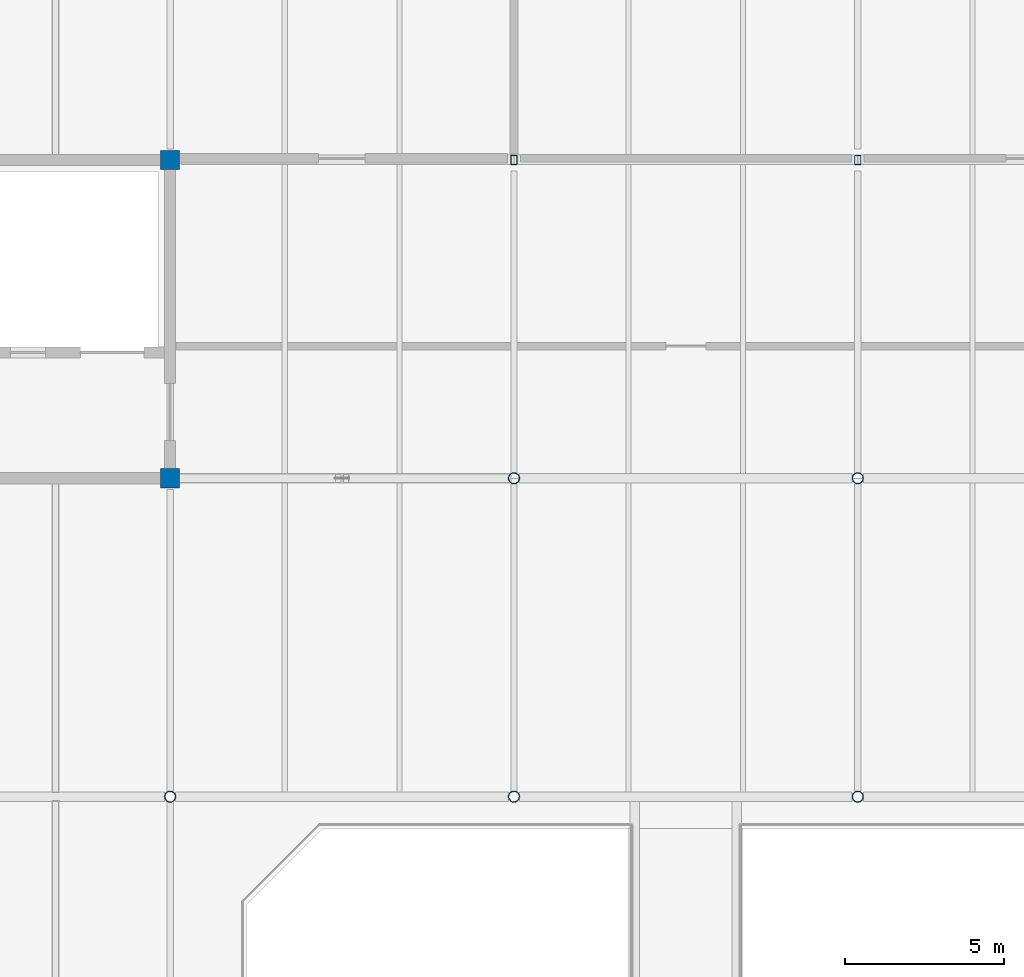
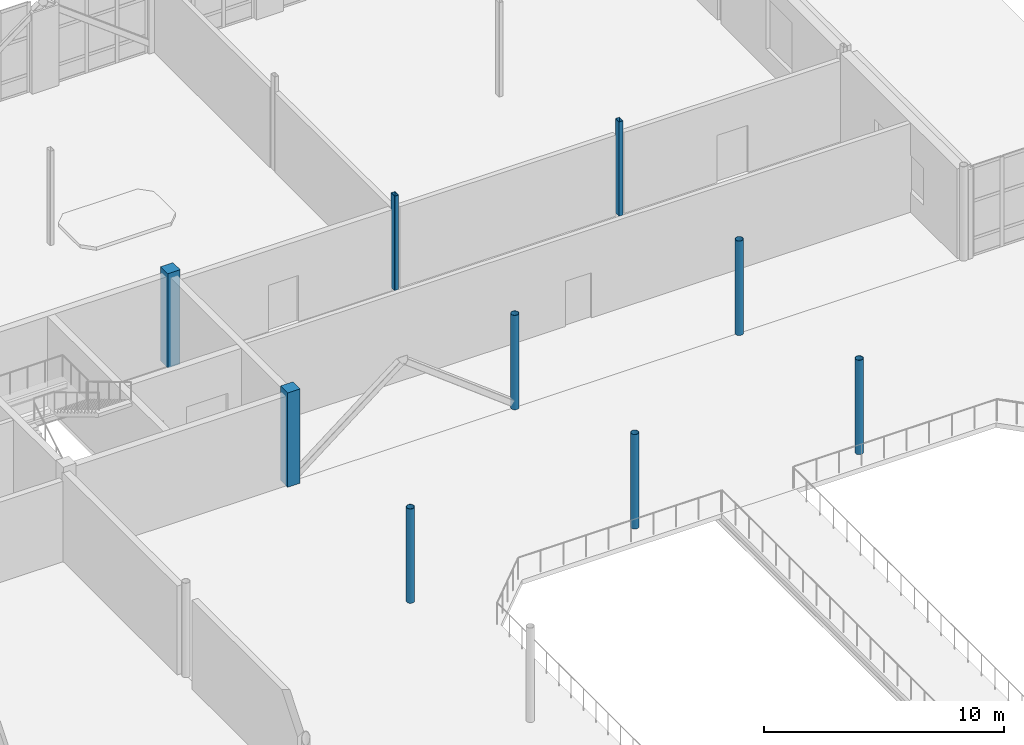
# One storey, part 10 of 100: 9 columns.
"""IFC4 building model written with IfcOpenShell, lengths in metres."""

import ifcopenshell
import ifcopenshell.guid

model = None  # the IFC model being written
_history = None  # IfcOwnerHistory: only IFC2X3 demands one
_inside = {}  # id of a spatial element -> (the spatial element, [elements in it])
_under = {}  # id of a project, library or spatial element -> (it, [spatial elements below it])
_declared = {}  # id of a project -> (the project, [libraries it declares])
_typed = {}  # id of a type object -> (the type object, [elements of that type])
_made_of = {}  # id of a material, layer set ... -> (it, [elements and type objects made of it])


def new_model(schema):
    """Start an empty IFC model of exactly this schema.

    Asked for "IFC4X3", IfcOpenShell would pick the latest addendum, in which some entities
    have other attributes; the version numbers below select the first issue.
    IFC2X3 requires an IfcOwnerHistory on every rooted entity: one is made here for all.
    """
    global model, _history
    if schema == "IFC4X3":
        model = ifcopenshell.file(schema_version=(4, 3, 0, 0))
    else:
        model = ifcopenshell.file(schema=schema)
    _inside.clear()
    _under.clear()
    _declared.clear()
    _typed.clear()
    _made_of.clear()
    _history = None
    if model.schema == "IFC2X3":
        org = make("IfcOrganization", Name="unknown")
        user = make(
            "IfcPersonAndOrganization",
            ThePerson=make("IfcPerson", FamilyName="unknown"),
            TheOrganization=org,
        )
        app = make(
            "IfcApplication",
            ApplicationDeveloper=org,
            Version="unknown",
            ApplicationFullName="unknown",
            ApplicationIdentifier="unknown",
        )
        _history = make(
            "IfcOwnerHistory",
            OwningUser=user,
            OwningApplication=app,
            ChangeAction="ADDED",
            CreationDate=0,
        )
    return model


def make(cls, **values):
    """One entity of the class cls with the attributes given. An attribute that is None is left unset."""
    return model.create_entity(
        cls, **{name: value for name, value in values.items() if value is not None}
    )


def rooted(cls, **values):
    """An entity with a GlobalId (a new one), such as an element, a storey or a relation."""
    return make(cls, GlobalId=ifcopenshell.guid.new(), OwnerHistory=_history, **values)


def si_unit(unit_type, name, prefix=None):
    """IfcSIUnit, for example si_unit("LENGTHUNIT", "METRE", prefix="MILLI")."""
    return make("IfcSIUnit", UnitType=unit_type, Prefix=prefix, Name=name)


def assignment(units):
    """IfcUnitAssignment: the units of a project."""
    return None if units is None else make("IfcUnitAssignment", Units=units)


def point(xyz):
    """IfcCartesianPoint."""
    return None if xyz is None else make("IfcCartesianPoint", Coordinates=xyz)


def direction(xyz):
    """IfcDirection."""
    return None if xyz is None else make("IfcDirection", DirectionRatios=xyz)


def frame(location, z_axis=None, x_axis=None):
    """IfcAxis2Placement3D, a coordinate frame: its origin and axes. An axis left out is left unset."""
    return make(
        "IfcAxis2Placement3D",
        Location=point(location),
        Axis=direction(z_axis),
        RefDirection=direction(x_axis),
    )


def frame_2d(location, x_axis=None):
    """IfcAxis2Placement2D, a coordinate frame in the plane: its origin and x axis."""
    return make(
        "IfcAxis2Placement2D", Location=point(location), RefDirection=direction(x_axis)
    )


def origin():
    """The frame at (0, 0, 0) with its axes left unset."""
    return frame((0.0, 0.0, 0.0))


def origin_2d():
    """The frame at (0, 0) in the plane with its x axis left unset."""
    return frame_2d((0.0, 0.0))


def place(relative_to, where):
    """IfcLocalPlacement: puts the frame where relative to a parent placement (None: the world)."""
    return make(
        "IfcLocalPlacement", PlacementRelTo=relative_to, RelativePlacement=where
    )


def context(
    kind, dimensions, precision=None, world=None, true_north=None, identifier=None
):
    """IfcGeometricRepresentationContext, for example the 3D "Model" context."""
    return make(
        "IfcGeometricRepresentationContext",
        ContextIdentifier=identifier,
        ContextType=kind,
        CoordinateSpaceDimension=dimensions,
        Precision=precision,
        WorldCoordinateSystem=world,
        TrueNorth=true_north,
    )


def subcontext(parent, identifier, kind, view, scale=None):
    """IfcGeometricRepresentationSubContext, for example "Body" below "Model"."""
    return make(
        "IfcGeometricRepresentationSubContext",
        ContextIdentifier=identifier,
        ContextType=kind,
        ParentContext=parent,
        TargetScale=scale,
        TargetView=view,
    )


def project(units=None, contexts=None):
    """IfcProject with its units and contexts."""
    return rooted(
        "IfcProject",
        Name="project",
        RepresentationContexts=contexts,
        UnitsInContext=assignment(units),
    )


def spatial(cls, under=None, at=None, **own):
    """A site, building, storey or space (cls), placed at a placement, below another one or the project."""
    s = rooted(cls, ObjectPlacement=at, **own)
    if under is not None:
        _under.setdefault(under.id(), (under, []))[1].append(s)
    return s


def profile(cls, at=None, kind="AREA", **sizes):
    """A parametric profile (cls). Its sizes go by their IFC names, for example OverallWidth=200.0."""
    return make(cls, ProfileType=kind, Position=at, **sizes)


def rectangle(**sizes):
    """IfcRectangleProfileDef."""
    return profile("IfcRectangleProfileDef", **sizes)


def hollow_rectangle(**sizes):
    """IfcRectangleHollowProfileDef."""
    return profile("IfcRectangleHollowProfileDef", **sizes)


def hollow_circle(**sizes):
    """IfcCircleHollowProfileDef."""
    return profile("IfcCircleHollowProfileDef", **sizes)


def extrude(swept, where, along, depth):
    """IfcExtrudedAreaSolid: the profile swept, set in the frame where, extruded along a direction by depth."""
    return make(
        "IfcExtrudedAreaSolid",
        SweptArea=swept,
        Position=where,
        ExtrudedDirection=direction(along),
        Depth=depth,
    )


def shape(context_of_items, identifier, shape_type, items):
    """IfcShapeRepresentation: the items that make up one representation, for example the "Body"."""
    return make(
        "IfcShapeRepresentation",
        ContextOfItems=context_of_items,
        RepresentationIdentifier=identifier,
        RepresentationType=shape_type,
        Items=items,
    )


def material(Name=None, Category=None):
    """IfcMaterial."""
    return make("IfcMaterial", Name=Name, Category=Category)


def material_profile(
    of_material, cross_section, Name=None, Category=None, Priority=None
):
    """IfcMaterialProfile: a cross section and its material."""
    return make(
        "IfcMaterialProfile",
        Name=Name,
        Material=of_material,
        Profile=cross_section,
        Priority=Priority,
        Category=Category,
    )


def profile_set(profiles, Name=None, composite=None):
    """IfcMaterialProfileSet."""
    return make(
        "IfcMaterialProfileSet",
        Name=Name,
        MaterialProfiles=profiles,
        CompositeProfile=composite,
    )


def made_of(thing, what):
    """Note that an element or type object is made of a material, layer set ...; save() writes the relation."""
    if what is not None:
        _made_of.setdefault(what.id(), (what, []))[1].append(thing)
    return thing


def type_object(cls, material=None, **own):
    """A type object (cls), such as IfcWallType, which elements share."""
    return made_of(rooted(cls, **own), material)


def element(
    cls,
    number,
    at=None,
    inside=None,
    cuts=None,
    type_object=None,
    material=None,
    context=None,
    identifier="Body",
    shape_type=None,
    held_by="IfcProductDefinitionShape",
    body=None,
    shapes=None,
    **own,
):
    """One element of the class cls, such as IfcWall. Its Tag is "e" and its number.

    at: its placement. inside: the storey or other place that contains it. cuts: it is an
    opening in that element (IfcRelVoidsElement). A single representation is given by context,
    identifier, shape_type and body (its items); several are given by shapes. held_by: the class
    of the entity that holds the representations. save() writes the other relations.
    """
    e = rooted(cls, Tag="e%d" % number, ObjectPlacement=at, **own)
    if body is not None:
        shapes = [shape(context, identifier, shape_type, body)]
    if shapes is not None:
        e.Representation = make(held_by, Representations=shapes)
    if inside is not None:
        _inside.setdefault(inside.id(), (inside, []))[1].append(e)
    if cuts is not None:
        rooted(
            "IfcRelVoidsElement", RelatingBuildingElement=cuts, RelatedOpeningElement=e
        )
    if type_object is not None:
        _typed.setdefault(type_object.id(), (type_object, []))[1].append(e)
    return made_of(e, material)


def aggregate(whole, parts):
    """IfcRelAggregates: a whole, such as a stair, and the parts it consists of."""
    return rooted("IfcRelAggregates", RelatingObject=whole, RelatedObjects=parts)


def save(model, path):
    """Write the relations noted so far, then the file.

    IfcRelAggregates (storeys below a building ...), IfcRelContainedInSpatialStructure (elements
    in a storey), IfcRelDefinesByType, IfcRelAssociatesMaterial and IfcRelDeclares: one each for
    every whole, place, type object, material and project.
    """
    for whole, parts in _under.values():
        aggregate(whole, parts)
    for where, things in _inside.values():
        rooted(
            "IfcRelContainedInSpatialStructure",
            RelatedElements=things,
            RelatingStructure=where,
        )
    for kind, things in _typed.values():
        rooted("IfcRelDefinesByType", RelatedObjects=things, RelatingType=kind)
    for what, things in _made_of.values():
        rooted("IfcRelAssociatesMaterial", RelatedObjects=things, RelatingMaterial=what)
    for by, libraries in _declared.values():
        rooted("IfcRelDeclares", RelatingContext=by, RelatedDefinitions=libraries)
    model.write(path)


model = new_model("IFC4")

# Units and contexts
model_context = context("Model", 3, precision=1e-05, world=origin(), true_north=direction((0.0, 1.0)))
body_context = subcontext(model_context, "Body", "Model", "MODEL_VIEW")
ifc_project = project(units=[si_unit("LENGTHUNIT", "METRE"), si_unit("AREAUNIT", "SQUARE_METRE"), si_unit("VOLUMEUNIT", "CUBIC_METRE"), si_unit("PLANEANGLEUNIT", "RADIAN"), si_unit("MASSUNIT", "GRAM", prefix="KILO")], contexts=[model_context])

# Site, building, storey
site_placement = place(None, origin())
site = spatial("IfcSite", under=ifc_project, at=site_placement, CompositionType="ELEMENT")
building_placement = place(site_placement, origin())
building = spatial("IfcBuilding", under=site, at=building_placement, Name="Tasgan Crest Museum", CompositionType="ELEMENT")
storey_placement = place(building_placement, frame((0.0, 0.0, 9.60009765625)))
storey = spatial("IfcBuildingStorey", under=building, at=storey_placement, Name="L02", CompositionType="ELEMENT", Elevation=9.60009765625)

# Columns
ifc_material_1 = material(Name="Steel S355K2", Category="steel")
ifc_material_profile_1 = material_profile(ifc_material_1, hollow_circle(Radius=0.177734375, WallThickness=0.01611328125, at=origin_2d()), Name="CHS 355.6x16")
ifc_profile_set_1 = profile_set([ifc_material_profile_1], Name="Steel S355K2")
column_type_1 = type_object("IfcColumnType", Name="COL-CHS355", PredefinedType="COLUMN", material=ifc_profile_set_1)
for number, where, z_axis, x_axis, name in (
    (1, (64.800048828125, 72.0, 0.0), (0.0, 0.0, 1.0), (1.0, 0.0, 0.0), "Column 7/H L02"),
    (2, (75.60009765625, 72.0, 0.0), (0.0, 0.0, 1.0), (1.0, 0.0, 0.0), "Column 8/H L02"),
    (3, (75.60009765625, 82.0, 0.0), (0.0, 0.0, 1.0), (1.0, 0.0, 0.0), "Column 8/J L02"),
    (4, (86.39990234375, 72.0, 0.0), (0.0, 0.0, 1.0), (1.0, 0.0, 0.0), "Column 9/H L02"),
    (5, (86.39990234375, 82.0, 0.0), (0.0, 0.0, 1.0), (1.0, 0.0, 0.0), "Column 9/J L02"),
):
    element("IfcColumn", number, at=place(storey_placement, frame(where, z_axis=z_axis, x_axis=x_axis)), inside=storey, type_object=column_type_1, Name=name, PredefinedType="COLUMN", context=body_context, shape_type="SweptSolid", body=[
        extrude(hollow_circle(Radius=0.177734375, WallThickness=0.01611328125, at=origin_2d()), origin(), (0.0, 0.0, 1.0), 4.7998046875),
    ])
ifc_material_2 = material(Name="Concrete C40/50", Category="concrete")
ifc_material_profile_2 = material_profile(ifc_material_2, rectangle(XDim=0.60009765625, YDim=0.60009765625, at=origin_2d()), Name="RC 600x600")
ifc_profile_set_2 = profile_set([ifc_material_profile_2], Name="Concrete C40/50")
column_type_2 = type_object("IfcColumnType", Name="COL-RC600", PredefinedType="COLUMN", material=ifc_profile_set_2)
for number, where, z_axis, x_axis, name in (
    (6, (64.800048828125, 82.0, 0.0), (0.0, 0.0, 1.0), (1.0, 0.0, 0.0), "Column 7/J L02"),
    (7, (64.800048828125, 92.0, 0.0), (0.0, 0.0, 1.0), (1.0, 0.0, 0.0), "Column 7/K L02"),
):
    element("IfcColumn", number, at=place(storey_placement, frame(where, z_axis=z_axis, x_axis=x_axis)), inside=storey, type_object=column_type_2, Name=name, PredefinedType="COLUMN", context=body_context, shape_type="SweptSolid", body=[
        extrude(rectangle(XDim=0.60009765625, YDim=0.60009765625, at=origin_2d()), origin(), (0.0, 0.0, 1.0), 4.7998046875),
    ])
ifc_material_3 = material(Name="Steel S355K2", Category="steel")
ifc_material_profile_3 = material_profile(ifc_material_3, hollow_rectangle(XDim=0.199951171875, YDim=0.300048828125, WallThickness=0.012451171875, InnerFilletRadius=0.012451171875, OuterFilletRadius=0.02490234375, at=origin_2d()), Name="RHS 300x200x12.5")
ifc_profile_set_3 = profile_set([ifc_material_profile_3], Name="Steel S355K2")
column_type_3 = type_object("IfcColumnType", Name="COL-RHS300", PredefinedType="COLUMN", material=ifc_profile_set_3)
for number, where, z_axis, x_axis, name in (
    (8, (75.60009765625, 92.0, 0.0), (0.0, 0.0, 1.0), (1.0, 0.0, 0.0), "Column 8/K L02"),
    (9, (86.39990234375, 92.0, 0.0), (0.0, 0.0, 1.0), (1.0, 0.0, 0.0), "Column 9/K L02"),
):
    element("IfcColumn", number, at=place(storey_placement, frame(where, z_axis=z_axis, x_axis=x_axis)), inside=storey, type_object=column_type_3, Name=name, PredefinedType="COLUMN", context=body_context, shape_type="SweptSolid", body=[
        extrude(hollow_rectangle(XDim=0.199951171875, YDim=0.300048828125, WallThickness=0.012451171875, InnerFilletRadius=0.012451171875, OuterFilletRadius=0.02490234375, at=origin_2d()), origin(), (0.0, 0.0, 1.0), 4.7998046875),
    ])

save(model, "model.ifc")
